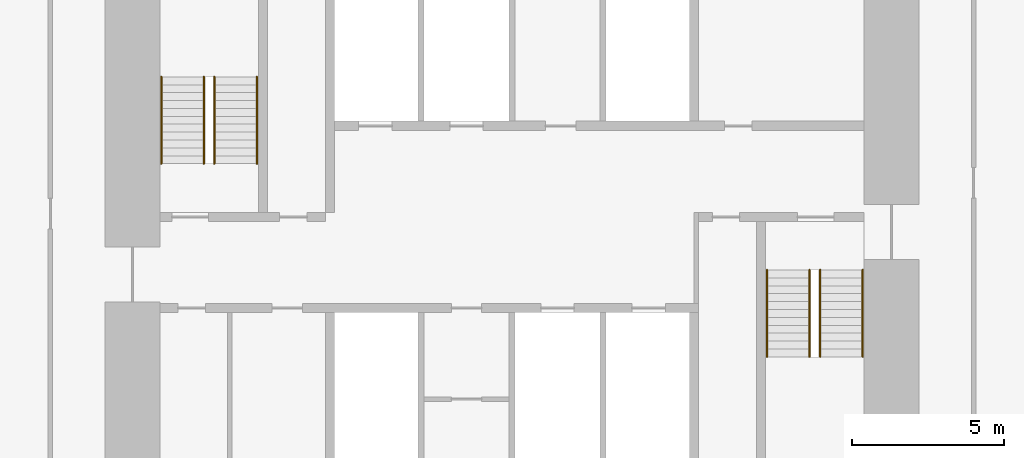
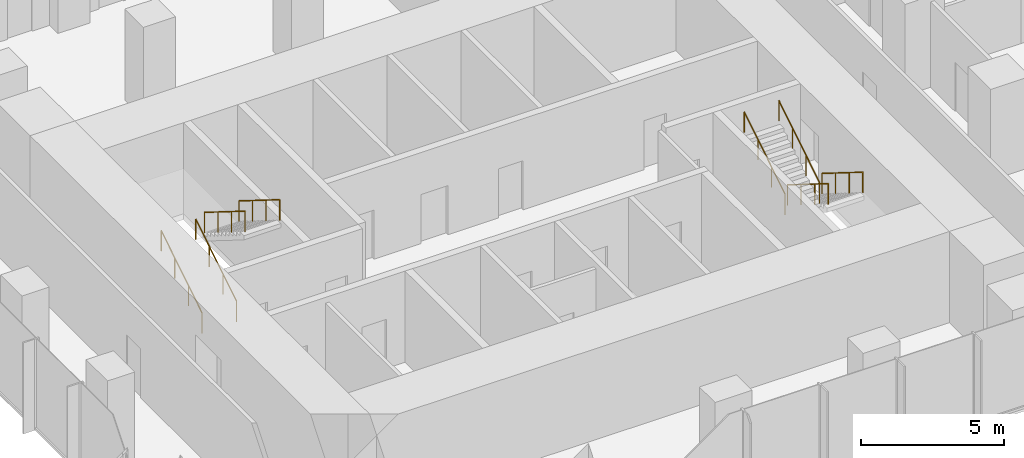
# One storey, part 11 of 11: 8 railings.
"""IFC4 building model written with IfcOpenShell, lengths in metres."""

from ifc_helpers import new_model, si_unit, direction, frame, origin, origin_2d, place, context, subcontext, project, spatial, circle, extrude, material, type_object, element, save


model = new_model("IFC4")

# Units and contexts
model_context = context("Model", 3, precision=1e-05, world=origin(), true_north=direction((0.0, 1.0)))
body_context = subcontext(model_context, "Body", "Model", "MODEL_VIEW")
ifc_project = project(units=[si_unit("LENGTHUNIT", "METRE"), si_unit("AREAUNIT", "SQUARE_METRE"), si_unit("VOLUMEUNIT", "CUBIC_METRE"), si_unit("PLANEANGLEUNIT", "RADIAN"), si_unit("MASSUNIT", "GRAM", prefix="KILO")], contexts=[model_context])

# Site, building, storey
site_placement = place(None, origin())
site = spatial("IfcSite", under=ifc_project, at=site_placement, CompositionType="ELEMENT")
building_placement = place(site_placement, origin())
building = spatial("IfcBuilding", under=site, at=building_placement, Name="Highveld Stack Headquarters", CompositionType="ELEMENT")
storey_placement = place(building_placement, frame((0.0, 0.0, 173.300048828125)))
storey = spatial("IfcBuildingStorey", under=building, at=storey_placement, Name="L42", CompositionType="ELEMENT", Elevation=173.300048828125)

# Railings
ifc_material = material(Name="Stainless steel handrail", Category="steel")
railing_type = type_object("IfcRailingType", Name="STAIR HANDRAIL HR1 900", PredefinedType="HANDRAIL", material=ifc_material)
for number, where, name in (
    (1, (-5.550048828125, 4.75, 0.162353515625), "Handrail S1 L42 flight 1"),
    (2, (-4.14990234375, 4.75, 0.162353515625), "Handrail S1 L42 flight 1"),
):
    element("IfcRailing", number, at=place(storey_placement, frame(where)), inside=storey, type_object=railing_type, Name=name, PredefinedType="HANDRAIL", context=body_context, shape_type="SweptSolid", body=[
        extrude(circle(Radius=0.02392578125, at=origin_2d()), frame((0.0, 0.0, 0.8759765625), z_axis=(0.0, 0.847994237388, 0.530005446535), x_axis=(-1.0, 0.0, 0.0)), (0.0, 0.0, 1.0), 3.372802734375),
        extrude(circle(Radius=0.02099609375, at=origin_2d()), origin(), (0.0, 0.0, 1.0), 0.851806640625),
        extrude(circle(Radius=0.02099609375, at=origin_2d()), frame((0.0, 0.953369140625, 0.595947265625)), (0.0, 0.0, 1.0), 0.851806640625),
        extrude(circle(Radius=0.02099609375, at=origin_2d()), frame((0.0, 1.90673828125, 1.191650390625)), (0.0, 0.0, 1.0), 0.851806640625),
        extrude(circle(Radius=0.02099609375, at=origin_2d()), frame((0.0, 2.860107421875, 1.78759765625)), (0.0, 0.0, 1.0), 0.851806640625),
    ])
for number, where, name in (
    (3, (-3.800048828125, 7.610107421875, 2.112548828125), "Handrail S1 L42 flight 2"),
    (4, (-2.39990234375, 7.610107421875, 2.112548828125), "Handrail S1 L42 flight 2"),
):
    element("IfcRailing", number, at=place(storey_placement, frame(where)), inside=storey, type_object=railing_type, Name=name, PredefinedType="HANDRAIL", context=body_context, shape_type="SweptSolid", body=[
        extrude(circle(Radius=0.02392578125, at=origin_2d()), frame((0.0, 0.0, 0.8759765625), z_axis=(0.0, -0.848026770018, 0.529953391661), x_axis=(1.0, 0.0, 0.0)), (0.0, 0.0, 1.0), 3.37255859375),
        extrude(circle(Radius=0.02099609375, at=origin_2d()), origin(), (0.0, 0.0, 1.0), 0.851806640625),
        extrude(circle(Radius=0.02099609375, at=origin_2d()), frame((0.0, -0.953369140625, 0.595703125)), (0.0, 0.0, 1.0), 0.851806640625),
        extrude(circle(Radius=0.02099609375, at=origin_2d()), frame((0.0, -1.90673828125, 1.191650390625)), (0.0, 0.0, 1.0), 0.851806640625),
        extrude(circle(Radius=0.02099609375, at=origin_2d()), frame((0.0, -2.860107421875, 1.787353515625)), (0.0, 0.0, 1.0), 0.851806640625),
    ])
for number, where, name in (
    (5, (16.14990234375, 1.25, 0.162353515625), "Handrail S2 L42 flight 1"),
    (6, (17.550048828125, 1.25, 0.162353515625), "Handrail S2 L42 flight 1"),
):
    element("IfcRailing", number, at=place(storey_placement, frame(where)), inside=storey, type_object=railing_type, Name=name, PredefinedType="HANDRAIL", context=body_context, shape_type="SweptSolid", body=[
        extrude(circle(Radius=0.02392578125, at=origin_2d()), frame((0.0, 0.0, 0.8759765625), z_axis=(0.0, -0.847994237388, 0.530005446535), x_axis=(1.0, 0.0, 0.0)), (0.0, 0.0, 1.0), 3.372802734375),
        extrude(circle(Radius=0.02099609375, at=origin_2d()), origin(), (0.0, 0.0, 1.0), 0.851806640625),
        extrude(circle(Radius=0.02099609375, at=origin_2d()), frame((0.0, -0.953369140625, 0.595947265625)), (0.0, 0.0, 1.0), 0.851806640625),
        extrude(circle(Radius=0.02099609375, at=origin_2d()), frame((0.0, -1.90673828125, 1.191650390625)), (0.0, 0.0, 1.0), 0.851806640625),
        extrude(circle(Radius=0.02099609375, at=origin_2d()), frame((0.0, -2.860107421875, 1.78759765625)), (0.0, 0.0, 1.0), 0.851806640625),
    ])
for number, where, name in (
    (7, (14.39990234375, -1.610107421875, 2.112548828125), "Handrail S2 L42 flight 2"),
    (8, (15.800048828125, -1.610107421875, 2.112548828125), "Handrail S2 L42 flight 2"),
):
    element("IfcRailing", number, at=place(storey_placement, frame(where)), inside=storey, type_object=railing_type, Name=name, PredefinedType="HANDRAIL", context=body_context, shape_type="SweptSolid", body=[
        extrude(circle(Radius=0.02392578125, at=origin_2d()), frame((0.0, 0.0, 0.8759765625), z_axis=(0.0, 0.848026770018, 0.529953391661), x_axis=(-1.0, 0.0, 0.0)), (0.0, 0.0, 1.0), 3.37255859375),
        extrude(circle(Radius=0.02099609375, at=origin_2d()), origin(), (0.0, 0.0, 1.0), 0.851806640625),
        extrude(circle(Radius=0.02099609375, at=origin_2d()), frame((0.0, 0.953369140625, 0.595703125)), (0.0, 0.0, 1.0), 0.851806640625),
        extrude(circle(Radius=0.02099609375, at=origin_2d()), frame((0.0, 1.90673828125, 1.191650390625)), (0.0, 0.0, 1.0), 0.851806640625),
        extrude(circle(Radius=0.02099609375, at=origin_2d()), frame((0.0, 2.860107421875, 1.787353515625)), (0.0, 0.0, 1.0), 0.851806640625),
    ])

save(model, "model.ifc")
